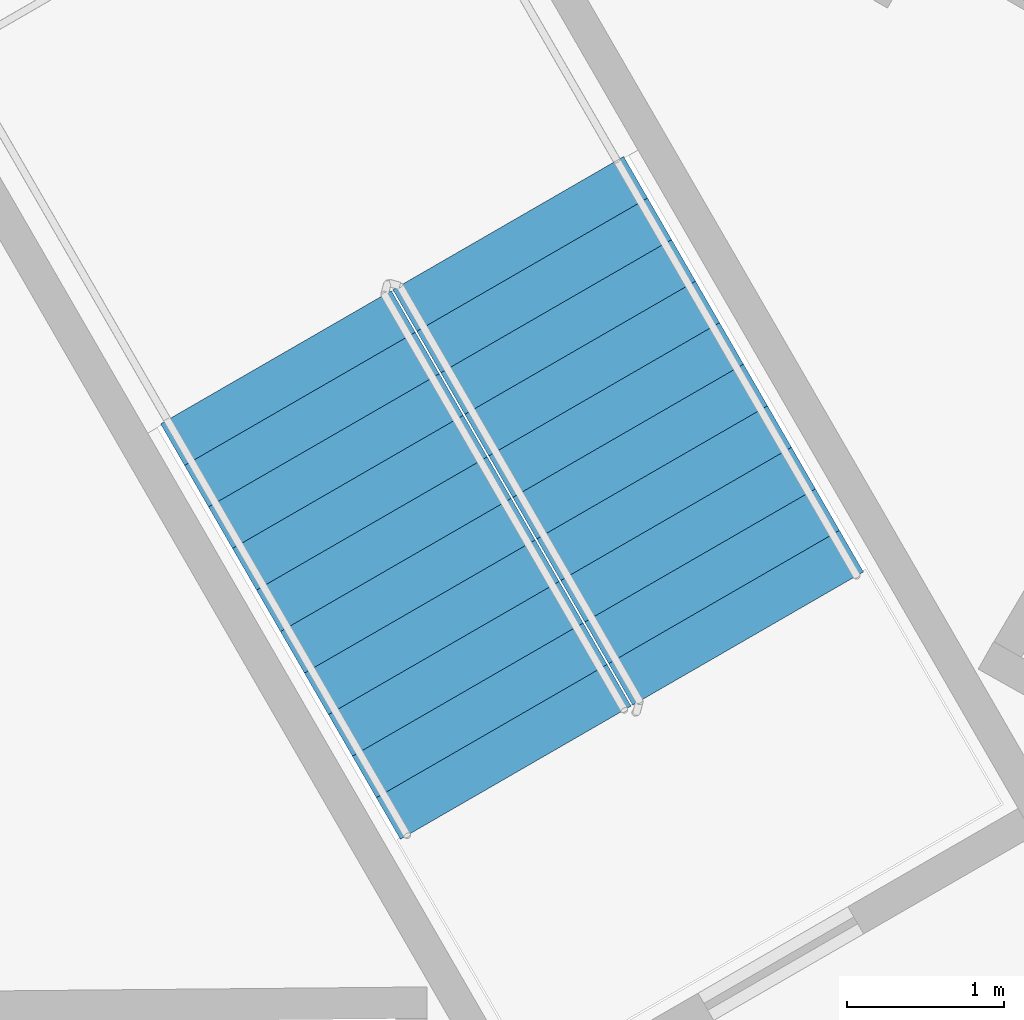
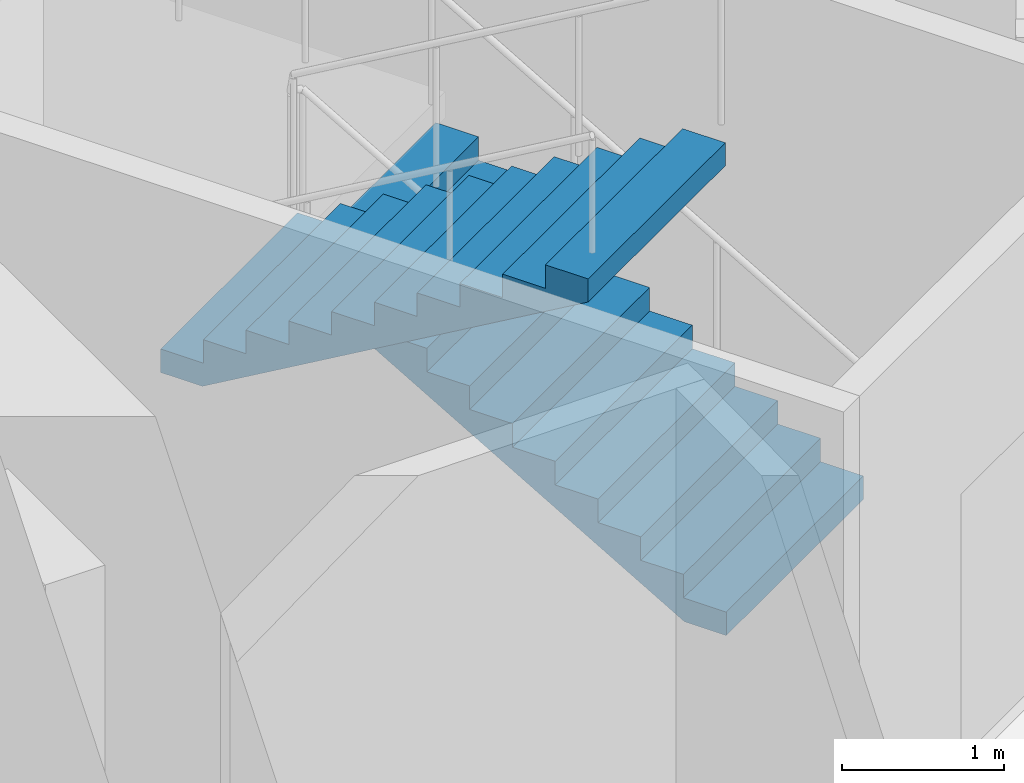
# One storey, part 11 of 12: 2 stair flights, 1 element without a shape of its own.
"""IFC4 building model written with IfcOpenShell, lengths in metres."""

from ifc_helpers import new_model, si_unit, direction, frame, origin, place, context, subcontext, project, spatial, polyline, outline, extrude, material, type_object, element, aggregate, save


model = new_model("IFC4")

# Units and contexts
model_context = context("Model", 3, precision=1e-05, world=origin(), true_north=direction((0.0, 1.0)))
body_context = subcontext(model_context, "Body", "Model", "MODEL_VIEW")
ifc_project = project(units=[si_unit("LENGTHUNIT", "METRE"), si_unit("AREAUNIT", "SQUARE_METRE"), si_unit("VOLUMEUNIT", "CUBIC_METRE"), si_unit("PLANEANGLEUNIT", "RADIAN"), si_unit("MASSUNIT", "GRAM", prefix="KILO")], contexts=[model_context])

# Site, building, storey
site_placement = place(None, origin())
site = spatial("IfcSite", under=ifc_project, at=site_placement, CompositionType="ELEMENT")
building_placement = place(site_placement, origin())
building = spatial("IfcBuilding", under=site, at=building_placement, Name="Tanit Gate Tower", CompositionType="ELEMENT")
storey_placement = place(building_placement, frame((0.0, 0.0, 368.89990234375)))
storey = spatial("IfcBuildingStorey", under=building, at=storey_placement, Name="L84", CompositionType="ELEMENT", Elevation=368.89990234375)

# Stair, stair flights
ifc_material_1 = material(Name="Concrete C40/50", Category="concrete")
stair_type = type_object("IfcStairType", Name="INT-STAIR-EXIT", PredefinedType="HALF_TURN_STAIR", material=ifc_material_1)
stair_placement = place(storey_placement, origin())
stair = element("IfcStair", 1, at=stair_placement, inside=storey, type_object=stair_type, Name="L84 STAIR S2", PredefinedType="HALF_TURN_STAIR")
ifc_material_2 = material(Name="Concrete C40/50", Category="concrete")
stair_flight_type = type_object("IfcStairFlightType", Name="INT-STAIR-FLIGHT", PredefinedType="STRAIGHT", material=ifc_material_2)
stair_flight_1_placement = place(storey_placement, frame((-5.808349609375, 11.766357421875, 0.0), z_axis=(0.0, 0.0, 1.0), x_axis=(-0.5, 0.866025403784, 0.0)))
stair_flight_1 = element("IfcStairFlight", 2, at=stair_flight_1_placement, type_object=stair_flight_type, Name="S2 flight 1", NumberOfRisers=11, NumberOfTreads=10, PredefinedType="STRAIGHT", RiserHeight=0.177272727, TreadLength=0.30492, context=body_context, shape_type="SweptSolid", body=[
    extrude(outline(polyline([(0.0, 0.0), (0.0, 0.17724609375), (0.304931640625, 0.17724609375), (0.304931640625, 0.3544921875), (0.60986328125, 0.3544921875), (0.60986328125, 0.53173828125), (0.914794921875, 0.53173828125), (0.914794921875, 0.708984375), (1.2197265625, 0.708984375), (1.2197265625, 0.886474609375), (1.524658203125, 0.886474609375), (1.524658203125, 1.063720703125), (1.82958984375, 1.063720703125), (1.82958984375, 1.240966796875), (2.134521484375, 1.240966796875), (2.134521484375, 1.418212890625), (2.439453125, 1.418212890625), (2.439453125, 1.595458984375), (2.744384765625, 1.595458984375), (2.744384765625, 1.772705078125), (3.04931640625, 1.772705078125), (3.04931640625, 1.949951171875), (3.04931640625, 1.599365234375), (0.29833984375, 0.0), (0.0, 0.0)])), frame((0.0, 0.84716796875, 0.0), z_axis=(0.0, -1.0, 0.0), x_axis=(1.0, 0.0, 0.0)), (0.0, 0.0, 1.0), 1.694091796875),
])
stair_flight_2_placement = place(storey_placement, frame((-8.810302734375, 13.553955078125, 1.9501953125), z_axis=(0.0, 0.0, 1.0), x_axis=(0.5, -0.866025403784, 0.0)))
stair_flight_2 = element("IfcStairFlight", 3, at=stair_flight_2_placement, type_object=stair_flight_type, Name="S2 flight 2", NumberOfRisers=11, NumberOfTreads=10, PredefinedType="STRAIGHT", RiserHeight=0.177272727, TreadLength=0.30492, context=body_context, shape_type="SweptSolid", body=[
    extrude(outline(polyline([(0.0, 0.0), (0.0, 0.17724609375), (0.304931640625, 0.17724609375), (0.304931640625, 0.3544921875), (0.60986328125, 0.3544921875), (0.60986328125, 0.53173828125), (0.914794921875, 0.53173828125), (0.914794921875, 0.708984375), (1.2197265625, 0.708984375), (1.2197265625, 0.886474609375), (1.524658203125, 0.886474609375), (1.524658203125, 1.063720703125), (1.82958984375, 1.063720703125), (1.82958984375, 1.240966796875), (2.134521484375, 1.240966796875), (2.134521484375, 1.418212890625), (2.439453125, 1.418212890625), (2.439453125, 1.595458984375), (2.744384765625, 1.595458984375), (2.744384765625, 1.772705078125), (3.04931640625, 1.772705078125), (3.04931640625, 1.949951171875), (3.04931640625, 1.599365234375), (0.29833984375, 0.0), (0.0, 0.0)])), frame((0.0, 0.84716796875, 0.0), z_axis=(0.0, -1.0, 0.0), x_axis=(1.0, 0.0, 0.0)), (0.0, 0.0, 1.0), 1.694091796875),
])
aggregate(stair, [stair_flight_1, stair_flight_2])

save(model, "model.ifc")
